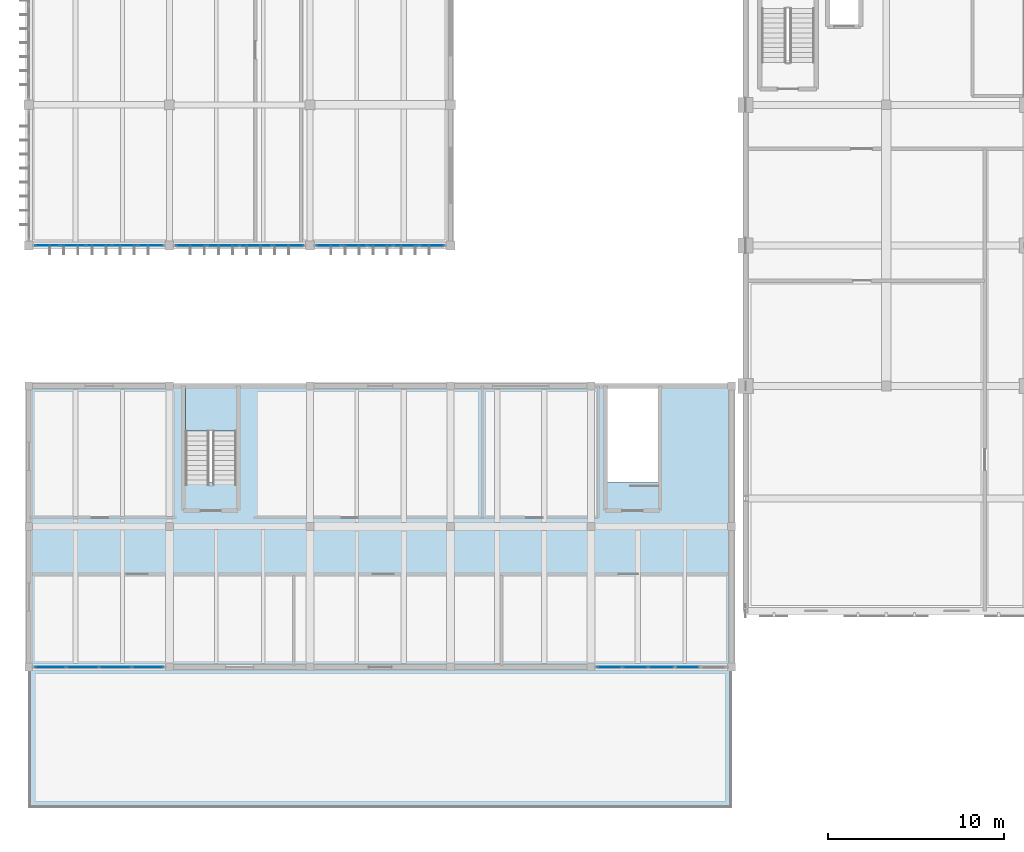
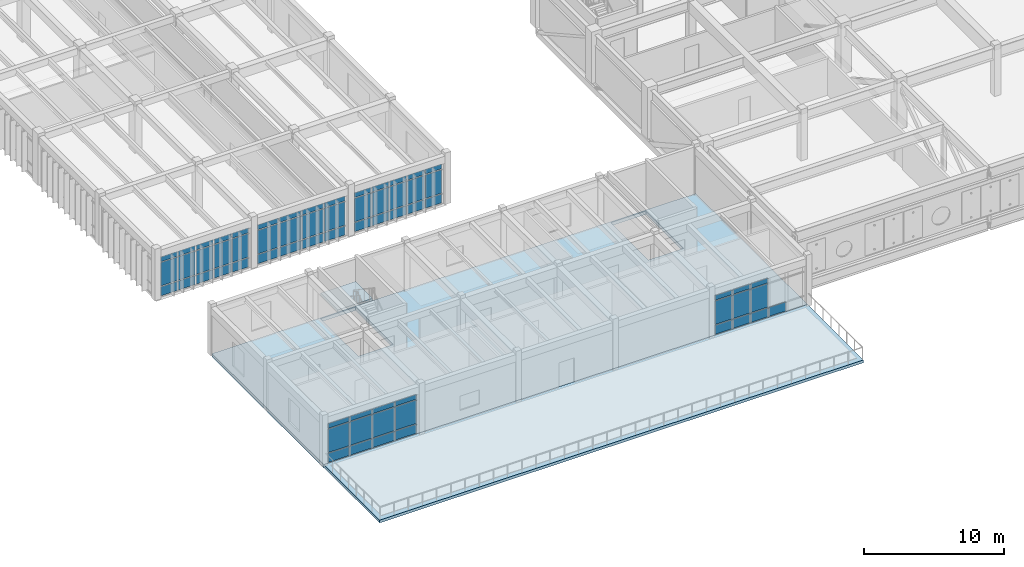
# One storey, part 34 of 79: 64 plates, 3 slabs, 6 elements without a shape of their own.
"""IFC4 building model written with IfcOpenShell, lengths in metres."""

from ifc_helpers import new_model, si_unit, direction, frame, origin, origin_2d, place, context, subcontext, project, spatial, polyline, rectangle, outline, extrude, material, layer, layer_set, type_object, element, aggregate, save


model = new_model("IFC4")

# Units and contexts
model_context = context("Model", 3, precision=1e-05, world=origin(), true_north=direction((0.0, 1.0)))
body_context = subcontext(model_context, "Body", "Model", "MODEL_VIEW")
ifc_project = project(units=[si_unit("LENGTHUNIT", "METRE"), si_unit("AREAUNIT", "SQUARE_METRE"), si_unit("VOLUMEUNIT", "CUBIC_METRE"), si_unit("PLANEANGLEUNIT", "RADIAN"), si_unit("MASSUNIT", "GRAM", prefix="KILO")], contexts=[model_context])

# Site, building, storey
site_placement = place(None, origin())
site = spatial("IfcSite", under=ifc_project, at=site_placement, CompositionType="ELEMENT")
building_placement = place(site_placement, origin())
building = spatial("IfcBuilding", under=site, at=building_placement, Name="Tlaxcora Railside Police Headquarters", CompositionType="ELEMENT")
storey_placement = place(building_placement, frame((0.0, 0.0, 9.0)))
storey = spatial("IfcBuildingStorey", under=building, at=storey_placement, Name="L02", CompositionType="ELEMENT", Elevation=9.0)

# Curtain wall, plates
ifc_material_1 = material(Name="Thermally broken low-E insulated glazing", Category="glass")
curtain_wall_type_1 = type_object("IfcCurtainWallType", Name="Unitised Curtain Wall Assembly CW-23", PredefinedType="NOTDEFINED", material=ifc_material_1)
curtain_wall_1_placement = place(storey_placement, origin())
curtain_wall_1 = element("IfcCurtainWall", 1, at=curtain_wall_1_placement, inside=storey, type_object=curtain_wall_type_1, Name="V4 L02 curtain wall 28", PredefinedType="NOTDEFINED")
ifc_layer_1 = layer(ifc_material_1, 0.0400390625, Name="Thermally broken low-E insulated glazing")
ifc_layer_set_1 = layer_set([ifc_layer_1], Name="Thermally broken low-E insulated glazing")
plate_type_1 = type_object("IfcPlateType", Name="Curtain Wall Infill Panel CW-17", PredefinedType="CURTAIN_PANEL", material=ifc_layer_set_1)
plate_1_placement = place(storey_placement, frame((38.239990234375, 20.0, 0.080078125), z_axis=(0.0, 0.0, 1.0), x_axis=(1.0, 0.0, 0.0)))
plate_1 = element("IfcPlate", 2, at=plate_1_placement, type_object=plate_type_1, Name="CW panel 1.1", PredefinedType="CURTAIN_PANEL", context=body_context, shape_type="SweptSolid", body=[
    extrude(rectangle(XDim=1.3701171875, YDim=0.0400390625, at=origin_2d()), origin(), (0.0, 0.0, 1.0), 0.780029296875),
])
plate_2_placement = place(storey_placement, frame((38.239990234375, 20.0, 0.93994140625), z_axis=(0.0, 0.0, 1.0), x_axis=(1.0, 0.0, 0.0)))
plate_2 = element("IfcPlate", 3, at=plate_2_placement, type_object=plate_type_1, Name="CW panel 1.2", PredefinedType="CURTAIN_PANEL", context=body_context, shape_type="SweptSolid", body=[
    extrude(rectangle(XDim=1.3701171875, YDim=0.0400390625, at=origin_2d()), origin(), (0.0, 0.0, 1.0), 2.0400390625),
])
plate_3_placement = place(storey_placement, frame((38.239990234375, 20.0, 3.06005859375), z_axis=(0.0, 0.0, 1.0), x_axis=(1.0, 0.0, 0.0)))
plate_3 = element("IfcPlate", 4, at=plate_3_placement, type_object=plate_type_1, Name="CW panel 1.3", PredefinedType="CURTAIN_PANEL", context=body_context, shape_type="SweptSolid", body=[
    extrude(rectangle(XDim=1.3701171875, YDim=0.0400390625, at=origin_2d()), origin(), (0.0, 0.0, 1.0), 0.409912109375),
])
plate_4_placement = place(storey_placement, frame((39.7099609375, 20.0, 0.080078125), z_axis=(0.0, 0.0, 1.0), x_axis=(1.0, 0.0, 0.0)))
plate_4 = element("IfcPlate", 5, at=plate_4_placement, type_object=plate_type_1, Name="CW panel 2.1", PredefinedType="CURTAIN_PANEL", context=body_context, shape_type="SweptSolid", body=[
    extrude(rectangle(XDim=1.409912109375, YDim=0.0400390625, at=origin_2d()), origin(), (0.0, 0.0, 1.0), 0.780029296875),
])
plate_5_placement = place(storey_placement, frame((39.7099609375, 20.0, 0.93994140625), z_axis=(0.0, 0.0, 1.0), x_axis=(1.0, 0.0, 0.0)))
plate_5 = element("IfcPlate", 6, at=plate_5_placement, type_object=plate_type_1, Name="CW panel 2.2", PredefinedType="CURTAIN_PANEL", context=body_context, shape_type="SweptSolid", body=[
    extrude(rectangle(XDim=1.409912109375, YDim=0.0400390625, at=origin_2d()), origin(), (0.0, 0.0, 1.0), 2.0400390625),
])
plate_6_placement = place(storey_placement, frame((39.7099609375, 20.0, 3.06005859375), z_axis=(0.0, 0.0, 1.0), x_axis=(1.0, 0.0, 0.0)))
plate_6 = element("IfcPlate", 7, at=plate_6_placement, type_object=plate_type_1, Name="CW panel 2.3", PredefinedType="CURTAIN_PANEL", context=body_context, shape_type="SweptSolid", body=[
    extrude(rectangle(XDim=1.409912109375, YDim=0.0400390625, at=origin_2d()), origin(), (0.0, 0.0, 1.0), 0.409912109375),
])
plate_7_placement = place(storey_placement, frame((41.199951171875, 20.0, 0.080078125), z_axis=(0.0, 0.0, 1.0), x_axis=(1.0, 0.0, 0.0)))
plate_7 = element("IfcPlate", 8, at=plate_7_placement, type_object=plate_type_1, Name="CW panel 3.1", PredefinedType="CURTAIN_PANEL", context=body_context, shape_type="SweptSolid", body=[
    extrude(rectangle(XDim=1.409912109375, YDim=0.0400390625, at=origin_2d()), origin(), (0.0, 0.0, 1.0), 0.780029296875),
])
plate_8_placement = place(storey_placement, frame((41.199951171875, 20.0, 0.93994140625), z_axis=(0.0, 0.0, 1.0), x_axis=(1.0, 0.0, 0.0)))
plate_8 = element("IfcPlate", 9, at=plate_8_placement, type_object=plate_type_1, Name="CW panel 3.2", PredefinedType="CURTAIN_PANEL", context=body_context, shape_type="SweptSolid", body=[
    extrude(rectangle(XDim=1.409912109375, YDim=0.0400390625, at=origin_2d()), origin(), (0.0, 0.0, 1.0), 2.0400390625),
])
plate_9_placement = place(storey_placement, frame((41.199951171875, 20.0, 3.06005859375), z_axis=(0.0, 0.0, 1.0), x_axis=(1.0, 0.0, 0.0)))
plate_9 = element("IfcPlate", 10, at=plate_9_placement, type_object=plate_type_1, Name="CW panel 3.3", PredefinedType="CURTAIN_PANEL", context=body_context, shape_type="SweptSolid", body=[
    extrude(rectangle(XDim=1.409912109375, YDim=0.0400390625, at=origin_2d()), origin(), (0.0, 0.0, 1.0), 0.409912109375),
])
plate_10_placement = place(storey_placement, frame((42.68994140625, 20.0, 0.080078125), z_axis=(0.0, 0.0, 1.0), x_axis=(1.0, 0.0, 0.0)))
plate_10 = element("IfcPlate", 11, at=plate_10_placement, type_object=plate_type_1, Name="CW panel 4.1", PredefinedType="CURTAIN_PANEL", context=body_context, shape_type="SweptSolid", body=[
    extrude(rectangle(XDim=1.409912109375, YDim=0.0400390625, at=origin_2d()), origin(), (0.0, 0.0, 1.0), 0.780029296875),
])
aggregate(curtain_wall_1, [plate_1, plate_2, plate_3, plate_4, plate_5, plate_6, plate_7, plate_8, plate_9, plate_10])

curtain_wall_2_placement = place(storey_placement, origin())
curtain_wall_2 = element("IfcCurtainWall", 12, at=curtain_wall_2_placement, inside=storey, type_object=curtain_wall_type_1, Name="V5 L02 curtain wall 52", PredefinedType="NOTDEFINED")
plate_11_placement = place(storey_placement, frame((22.260009765625, 44.0, 0.080078125), z_axis=(0.0, 0.0, 1.0), x_axis=(1.0, 0.0, 0.0)))
plate_11 = element("IfcPlate", 13, at=plate_11_placement, type_object=plate_type_1, Name="CW panel 1.1", PredefinedType="CURTAIN_PANEL", context=body_context, shape_type="SweptSolid", body=[
    extrude(rectangle(XDim=1.360107421875, YDim=0.0400390625, at=origin_2d()), origin(), (0.0, 0.0, 1.0), 0.780029296875),
])
plate_12_placement = place(storey_placement, frame((22.260009765625, 44.0, 0.93994140625), z_axis=(0.0, 0.0, 1.0), x_axis=(1.0, 0.0, 0.0)))
plate_12 = element("IfcPlate", 14, at=plate_12_placement, type_object=plate_type_1, Name="CW panel 1.2", PredefinedType="CURTAIN_PANEL", context=body_context, shape_type="SweptSolid", body=[
    extrude(rectangle(XDim=1.360107421875, YDim=0.0400390625, at=origin_2d()), origin(), (0.0, 0.0, 1.0), 2.0400390625),
])
plate_13_placement = place(storey_placement, frame((22.260009765625, 44.0, 3.06005859375), z_axis=(0.0, 0.0, 1.0), x_axis=(1.0, 0.0, 0.0)))
plate_13 = element("IfcPlate", 15, at=plate_13_placement, type_object=plate_type_1, Name="CW panel 1.3", PredefinedType="CURTAIN_PANEL", context=body_context, shape_type="SweptSolid", body=[
    extrude(rectangle(XDim=1.360107421875, YDim=0.0400390625, at=origin_2d()), origin(), (0.0, 0.0, 1.0), 0.409912109375),
])
plate_14_placement = place(storey_placement, frame((23.719970703125, 44.0, 0.080078125), z_axis=(0.0, 0.0, 1.0), x_axis=(1.0, 0.0, 0.0)))
plate_14 = element("IfcPlate", 16, at=plate_14_placement, type_object=plate_type_1, Name="CW panel 2.1", PredefinedType="CURTAIN_PANEL", context=body_context, shape_type="SweptSolid", body=[
    extrude(rectangle(XDim=1.39990234375, YDim=0.0400390625, at=origin_2d()), origin(), (0.0, 0.0, 1.0), 0.780029296875),
])
plate_15_placement = place(storey_placement, frame((23.719970703125, 44.0, 0.93994140625), z_axis=(0.0, 0.0, 1.0), x_axis=(1.0, 0.0, 0.0)))
plate_15 = element("IfcPlate", 17, at=plate_15_placement, type_object=plate_type_1, Name="CW panel 2.2", PredefinedType="CURTAIN_PANEL", context=body_context, shape_type="SweptSolid", body=[
    extrude(rectangle(XDim=1.39990234375, YDim=0.0400390625, at=origin_2d()), origin(), (0.0, 0.0, 1.0), 2.0400390625),
])
plate_16_placement = place(storey_placement, frame((23.719970703125, 44.0, 3.06005859375), z_axis=(0.0, 0.0, 1.0), x_axis=(1.0, 0.0, 0.0)))
plate_16 = element("IfcPlate", 18, at=plate_16_placement, type_object=plate_type_1, Name="CW panel 2.3", PredefinedType="CURTAIN_PANEL", context=body_context, shape_type="SweptSolid", body=[
    extrude(rectangle(XDim=1.39990234375, YDim=0.0400390625, at=origin_2d()), origin(), (0.0, 0.0, 1.0), 0.409912109375),
])
plate_17_placement = place(storey_placement, frame((25.199951171875, 44.0, 0.080078125), z_axis=(0.0, 0.0, 1.0), x_axis=(1.0, 0.0, 0.0)))
plate_17 = element("IfcPlate", 19, at=plate_17_placement, type_object=plate_type_1, Name="CW panel 3.1", PredefinedType="CURTAIN_PANEL", context=body_context, shape_type="SweptSolid", body=[
    extrude(rectangle(XDim=1.39990234375, YDim=0.0400390625, at=origin_2d()), origin(), (0.0, 0.0, 1.0), 0.780029296875),
])
plate_18_placement = place(storey_placement, frame((25.199951171875, 44.0, 0.93994140625), z_axis=(0.0, 0.0, 1.0), x_axis=(1.0, 0.0, 0.0)))
plate_18 = element("IfcPlate", 20, at=plate_18_placement, type_object=plate_type_1, Name="CW panel 3.2", PredefinedType="CURTAIN_PANEL", context=body_context, shape_type="SweptSolid", body=[
    extrude(rectangle(XDim=1.39990234375, YDim=0.0400390625, at=origin_2d()), origin(), (0.0, 0.0, 1.0), 2.0400390625),
])
plate_19_placement = place(storey_placement, frame((25.199951171875, 44.0, 3.06005859375), z_axis=(0.0, 0.0, 1.0), x_axis=(1.0, 0.0, 0.0)))
plate_19 = element("IfcPlate", 21, at=plate_19_placement, type_object=plate_type_1, Name="CW panel 3.3", PredefinedType="CURTAIN_PANEL", context=body_context, shape_type="SweptSolid", body=[
    extrude(rectangle(XDim=1.39990234375, YDim=0.0400390625, at=origin_2d()), origin(), (0.0, 0.0, 1.0), 0.409912109375),
])
plate_20_placement = place(storey_placement, frame((26.679931640625, 44.0, 0.080078125), z_axis=(0.0, 0.0, 1.0), x_axis=(1.0, 0.0, 0.0)))
plate_20 = element("IfcPlate", 22, at=plate_20_placement, type_object=plate_type_1, Name="CW panel 4.1", PredefinedType="CURTAIN_PANEL", context=body_context, shape_type="SweptSolid", body=[
    extrude(rectangle(XDim=1.39990234375, YDim=0.0400390625, at=origin_2d()), origin(), (0.0, 0.0, 1.0), 0.780029296875),
])
plate_21_placement = place(storey_placement, frame((26.679931640625, 44.0, 0.93994140625), z_axis=(0.0, 0.0, 1.0), x_axis=(1.0, 0.0, 0.0)))
plate_21 = element("IfcPlate", 23, at=plate_21_placement, type_object=plate_type_1, Name="CW panel 4.2", PredefinedType="CURTAIN_PANEL", context=body_context, shape_type="SweptSolid", body=[
    extrude(rectangle(XDim=1.39990234375, YDim=0.0400390625, at=origin_2d()), origin(), (0.0, 0.0, 1.0), 2.0400390625),
])
plate_22_placement = place(storey_placement, frame((26.679931640625, 44.0, 3.06005859375), z_axis=(0.0, 0.0, 1.0), x_axis=(1.0, 0.0, 0.0)))
plate_22 = element("IfcPlate", 24, at=plate_22_placement, type_object=plate_type_1, Name="CW panel 4.3", PredefinedType="CURTAIN_PANEL", context=body_context, shape_type="SweptSolid", body=[
    extrude(rectangle(XDim=1.39990234375, YDim=0.0400390625, at=origin_2d()), origin(), (0.0, 0.0, 1.0), 0.409912109375),
])
plate_23_placement = place(storey_placement, frame((28.139892578125, 44.0, 0.080078125), z_axis=(0.0, 0.0, 1.0), x_axis=(1.0, 0.0, 0.0)))
plate_23 = element("IfcPlate", 25, at=plate_23_placement, type_object=plate_type_1, Name="CW panel 5.1", PredefinedType="CURTAIN_PANEL", context=body_context, shape_type="SweptSolid", body=[
    extrude(rectangle(XDim=1.360107421875, YDim=0.0400390625, at=origin_2d()), origin(), (0.0, 0.0, 1.0), 0.780029296875),
])
plate_24_placement = place(storey_placement, frame((28.139892578125, 44.0, 0.93994140625), z_axis=(0.0, 0.0, 1.0), x_axis=(1.0, 0.0, 0.0)))
plate_24 = element("IfcPlate", 26, at=plate_24_placement, type_object=plate_type_1, Name="CW panel 5.2", PredefinedType="CURTAIN_PANEL", context=body_context, shape_type="SweptSolid", body=[
    extrude(rectangle(XDim=1.360107421875, YDim=0.0400390625, at=origin_2d()), origin(), (0.0, 0.0, 1.0), 2.0400390625),
])
plate_25_placement = place(storey_placement, frame((28.139892578125, 44.0, 3.06005859375), z_axis=(0.0, 0.0, 1.0), x_axis=(1.0, 0.0, 0.0)))
plate_25 = element("IfcPlate", 27, at=plate_25_placement, type_object=plate_type_1, Name="CW panel 5.3", PredefinedType="CURTAIN_PANEL", context=body_context, shape_type="SweptSolid", body=[
    extrude(rectangle(XDim=1.360107421875, YDim=0.0400390625, at=origin_2d()), origin(), (0.0, 0.0, 1.0), 0.409912109375),
])
aggregate(curtain_wall_2, [plate_11, plate_12, plate_13, plate_14, plate_15, plate_16, plate_17, plate_18, plate_19, plate_20, plate_21, plate_22, plate_23, plate_24, plate_25])

curtain_wall_type_2 = type_object("IfcCurtainWallType", Name="Unitised Curtain Wall Assembly CW-15", PredefinedType="NOTDEFINED", material=ifc_material_1)
curtain_wall_3_placement = place(storey_placement, origin())
curtain_wall_3 = element("IfcCurtainWall", 28, at=curtain_wall_3_placement, inside=storey, type_object=curtain_wall_type_2, Name="V5 L02 curtain wall 50", PredefinedType="NOTDEFINED")
ifc_layer_2 = layer(ifc_material_1, 0.031982421875, Name="Thermally broken low-E insulated glazing")
ifc_layer_set_2 = layer_set([ifc_layer_2], Name="Thermally broken low-E insulated glazing")
plate_type_2 = type_object("IfcPlateType", Name="Curtain Wall Infill Panel CW-41", PredefinedType="CURTAIN_PANEL", material=ifc_layer_set_2)
plate_26_placement = place(storey_placement, frame((6.2587890625, 44.0, 0.074951171875), z_axis=(0.0, 0.0, 1.0), x_axis=(1.0, 0.0, 0.0)))
plate_26 = element("IfcPlate", 29, at=plate_26_placement, type_object=plate_type_2, Name="CW panel 1.1", PredefinedType="CURTAIN_PANEL", context=body_context, shape_type="SweptSolid", body=[
    extrude(rectangle(XDim=1.367431640625, YDim=0.031982421875, at=origin_2d()), origin(), (0.0, 0.0, 1.0), 0.78759765625),
])
plate_27_placement = place(storey_placement, frame((6.2587890625, 44.0, 0.9375), z_axis=(0.0, 0.0, 1.0), x_axis=(1.0, 0.0, 0.0)))
plate_27 = element("IfcPlate", 30, at=plate_27_placement, type_object=plate_type_2, Name="CW panel 1.2", PredefinedType="CURTAIN_PANEL", context=body_context, shape_type="SweptSolid", body=[
    extrude(rectangle(XDim=1.367431640625, YDim=0.031982421875, at=origin_2d()), origin(), (0.0, 0.0, 1.0), 2.044921875),
])
plate_28_placement = place(storey_placement, frame((6.2587890625, 44.0, 3.0576171875), z_axis=(0.0, 0.0, 1.0), x_axis=(1.0, 0.0, 0.0)))
plate_28 = element("IfcPlate", 31, at=plate_28_placement, type_object=plate_type_2, Name="CW panel 1.3", PredefinedType="CURTAIN_PANEL", context=body_context, shape_type="SweptSolid", body=[
    extrude(rectangle(XDim=1.367431640625, YDim=0.031982421875, at=origin_2d()), origin(), (0.0, 0.0, 1.0), 0.41748046875),
])
plate_29_placement = place(storey_placement, frame((7.719970703125, 44.0, 0.074951171875), z_axis=(0.0, 0.0, 1.0), x_axis=(1.0, 0.0, 0.0)))
plate_29 = element("IfcPlate", 32, at=plate_29_placement, type_object=plate_type_2, Name="CW panel 2.1", PredefinedType="CURTAIN_PANEL", context=body_context, shape_type="SweptSolid", body=[
    extrude(rectangle(XDim=1.405029296875, YDim=0.031982421875, at=origin_2d()), origin(), (0.0, 0.0, 1.0), 0.78759765625),
])
plate_30_placement = place(storey_placement, frame((7.719970703125, 44.0, 0.9375), z_axis=(0.0, 0.0, 1.0), x_axis=(1.0, 0.0, 0.0)))
plate_30 = element("IfcPlate", 33, at=plate_30_placement, type_object=plate_type_2, Name="CW panel 2.2", PredefinedType="CURTAIN_PANEL", context=body_context, shape_type="SweptSolid", body=[
    extrude(rectangle(XDim=1.405029296875, YDim=0.031982421875, at=origin_2d()), origin(), (0.0, 0.0, 1.0), 2.044921875),
])
plate_31_placement = place(storey_placement, frame((7.719970703125, 44.0, 3.0576171875), z_axis=(0.0, 0.0, 1.0), x_axis=(1.0, 0.0, 0.0)))
plate_31 = element("IfcPlate", 34, at=plate_31_placement, type_object=plate_type_2, Name="CW panel 2.3", PredefinedType="CURTAIN_PANEL", context=body_context, shape_type="SweptSolid", body=[
    extrude(rectangle(XDim=1.405029296875, YDim=0.031982421875, at=origin_2d()), origin(), (0.0, 0.0, 1.0), 0.41748046875),
])
plate_32_placement = place(storey_placement, frame((9.199951171875, 44.0, 0.074951171875), z_axis=(0.0, 0.0, 1.0), x_axis=(1.0, 0.0, 0.0)))
plate_32 = element("IfcPlate", 35, at=plate_32_placement, type_object=plate_type_2, Name="CW panel 3.1", PredefinedType="CURTAIN_PANEL", context=body_context, shape_type="SweptSolid", body=[
    extrude(rectangle(XDim=1.405029296875, YDim=0.031982421875, at=origin_2d()), origin(), (0.0, 0.0, 1.0), 0.78759765625),
])
plate_33_placement = place(storey_placement, frame((9.199951171875, 44.0, 0.9375), z_axis=(0.0, 0.0, 1.0), x_axis=(1.0, 0.0, 0.0)))
plate_33 = element("IfcPlate", 36, at=plate_33_placement, type_object=plate_type_2, Name="CW panel 3.2", PredefinedType="CURTAIN_PANEL", context=body_context, shape_type="SweptSolid", body=[
    extrude(rectangle(XDim=1.405029296875, YDim=0.031982421875, at=origin_2d()), origin(), (0.0, 0.0, 1.0), 2.044921875),
])
plate_34_placement = place(storey_placement, frame((9.199951171875, 44.0, 3.0576171875), z_axis=(0.0, 0.0, 1.0), x_axis=(1.0, 0.0, 0.0)))
plate_34 = element("IfcPlate", 37, at=plate_34_placement, type_object=plate_type_2, Name="CW panel 3.3", PredefinedType="CURTAIN_PANEL", context=body_context, shape_type="SweptSolid", body=[
    extrude(rectangle(XDim=1.405029296875, YDim=0.031982421875, at=origin_2d()), origin(), (0.0, 0.0, 1.0), 0.41748046875),
])
plate_35_placement = place(storey_placement, frame((10.679931640625, 44.0, 0.074951171875), z_axis=(0.0, 0.0, 1.0), x_axis=(1.0, 0.0, 0.0)))
plate_35 = element("IfcPlate", 38, at=plate_35_placement, type_object=plate_type_2, Name="CW panel 4.1", PredefinedType="CURTAIN_PANEL", context=body_context, shape_type="SweptSolid", body=[
    extrude(rectangle(XDim=1.405029296875, YDim=0.031982421875, at=origin_2d()), origin(), (0.0, 0.0, 1.0), 0.78759765625),
])
plate_36_placement = place(storey_placement, frame((10.679931640625, 44.0, 0.9375), z_axis=(0.0, 0.0, 1.0), x_axis=(1.0, 0.0, 0.0)))
plate_36 = element("IfcPlate", 39, at=plate_36_placement, type_object=plate_type_2, Name="CW panel 4.2", PredefinedType="CURTAIN_PANEL", context=body_context, shape_type="SweptSolid", body=[
    extrude(rectangle(XDim=1.405029296875, YDim=0.031982421875, at=origin_2d()), origin(), (0.0, 0.0, 1.0), 2.044921875),
])
plate_37_placement = place(storey_placement, frame((10.679931640625, 44.0, 3.0576171875), z_axis=(0.0, 0.0, 1.0), x_axis=(1.0, 0.0, 0.0)))
plate_37 = element("IfcPlate", 40, at=plate_37_placement, type_object=plate_type_2, Name="CW panel 4.3", PredefinedType="CURTAIN_PANEL", context=body_context, shape_type="SweptSolid", body=[
    extrude(rectangle(XDim=1.405029296875, YDim=0.031982421875, at=origin_2d()), origin(), (0.0, 0.0, 1.0), 0.41748046875),
])
plate_38_placement = place(storey_placement, frame((12.141357421875, 44.0, 0.074951171875), z_axis=(0.0, 0.0, 1.0), x_axis=(1.0, 0.0, 0.0)))
plate_38 = element("IfcPlate", 41, at=plate_38_placement, type_object=plate_type_2, Name="CW panel 5.1", PredefinedType="CURTAIN_PANEL", context=body_context, shape_type="SweptSolid", body=[
    extrude(rectangle(XDim=1.367431640625, YDim=0.031982421875, at=origin_2d()), origin(), (0.0, 0.0, 1.0), 0.78759765625),
])
plate_39_placement = place(storey_placement, frame((12.141357421875, 44.0, 0.9375), z_axis=(0.0, 0.0, 1.0), x_axis=(1.0, 0.0, 0.0)))
plate_39 = element("IfcPlate", 42, at=plate_39_placement, type_object=plate_type_2, Name="CW panel 5.2", PredefinedType="CURTAIN_PANEL", context=body_context, shape_type="SweptSolid", body=[
    extrude(rectangle(XDim=1.367431640625, YDim=0.031982421875, at=origin_2d()), origin(), (0.0, 0.0, 1.0), 2.044921875),
])
plate_40_placement = place(storey_placement, frame((12.141357421875, 44.0, 3.0576171875), z_axis=(0.0, 0.0, 1.0), x_axis=(1.0, 0.0, 0.0)))
plate_40 = element("IfcPlate", 43, at=plate_40_placement, type_object=plate_type_2, Name="CW panel 5.3", PredefinedType="CURTAIN_PANEL", context=body_context, shape_type="SweptSolid", body=[
    extrude(rectangle(XDim=1.367431640625, YDim=0.031982421875, at=origin_2d()), origin(), (0.0, 0.0, 1.0), 0.41748046875),
])
aggregate(curtain_wall_3, [plate_26, plate_27, plate_28, plate_29, plate_30, plate_31, plate_32, plate_33, plate_34, plate_35, plate_36, plate_37, plate_38, plate_39, plate_40])

curtain_wall_type_3 = type_object("IfcCurtainWallType", Name="Unitised Curtain Wall Assembly CW-83", PredefinedType="NOTDEFINED", material=ifc_material_1)
curtain_wall_4_placement = place(storey_placement, origin())
curtain_wall_4 = element("IfcCurtainWall", 44, at=curtain_wall_4_placement, inside=storey, type_object=curtain_wall_type_3, Name="V4 L02 curtain wall 27", PredefinedType="NOTDEFINED")
ifc_layer_3 = layer(ifc_material_1, 0.035888671875, Name="Thermally broken low-E insulated glazing")
ifc_layer_set_3 = layer_set([ifc_layer_3], Name="Thermally broken low-E insulated glazing")
plate_type_3 = type_object("IfcPlateType", Name="Curtain Wall Infill Panel CW-72", PredefinedType="CURTAIN_PANEL", material=ifc_layer_set_3)
plate_41_placement = place(storey_placement, frame((6.42626953125, 20.0, 0.080078125), z_axis=(0.0, 0.0, 1.0), x_axis=(1.0, 0.0, 0.0)))
plate_41 = element("IfcPlate", 45, at=plate_41_placement, type_object=plate_type_3, Name="CW panel 1.1", PredefinedType="CURTAIN_PANEL", context=body_context, shape_type="SweptSolid", body=[
    extrude(rectangle(XDim=1.742431640625, YDim=0.035888671875, at=origin_2d()), origin(), (0.0, 0.0, 1.0), 0.780029296875),
])
plate_42_placement = place(storey_placement, frame((6.42626953125, 20.0, 0.93994140625), z_axis=(0.0, 0.0, 1.0), x_axis=(1.0, 0.0, 0.0)))
plate_42 = element("IfcPlate", 46, at=plate_42_placement, type_object=plate_type_3, Name="CW panel 1.2", PredefinedType="CURTAIN_PANEL", context=body_context, shape_type="SweptSolid", body=[
    extrude(rectangle(XDim=1.742431640625, YDim=0.035888671875, at=origin_2d()), origin(), (0.0, 0.0, 1.0), 2.0400390625),
])
plate_43_placement = place(storey_placement, frame((6.42626953125, 20.0, 3.06005859375), z_axis=(0.0, 0.0, 1.0), x_axis=(1.0, 0.0, 0.0)))
plate_43 = element("IfcPlate", 47, at=plate_43_placement, type_object=plate_type_3, Name="CW panel 1.3", PredefinedType="CURTAIN_PANEL", context=body_context, shape_type="SweptSolid", body=[
    extrude(rectangle(XDim=1.742431640625, YDim=0.035888671875, at=origin_2d()), origin(), (0.0, 0.0, 1.0), 0.409912109375),
])
plate_44_placement = place(storey_placement, frame((8.268798828125, 20.0, 0.080078125), z_axis=(0.0, 0.0, 1.0), x_axis=(1.0, 0.0, 0.0)))
plate_44 = element("IfcPlate", 48, at=plate_44_placement, type_object=plate_type_3, Name="CW panel 2.1", PredefinedType="CURTAIN_PANEL", context=body_context, shape_type="SweptSolid", body=[
    extrude(rectangle(XDim=1.782470703125, YDim=0.035888671875, at=origin_2d()), origin(), (0.0, 0.0, 1.0), 0.780029296875),
])
plate_45_placement = place(storey_placement, frame((8.268798828125, 20.0, 0.93994140625), z_axis=(0.0, 0.0, 1.0), x_axis=(1.0, 0.0, 0.0)))
plate_45 = element("IfcPlate", 49, at=plate_45_placement, type_object=plate_type_3, Name="CW panel 2.2", PredefinedType="CURTAIN_PANEL", context=body_context, shape_type="SweptSolid", body=[
    extrude(rectangle(XDim=1.782470703125, YDim=0.035888671875, at=origin_2d()), origin(), (0.0, 0.0, 1.0), 2.0400390625),
])
plate_46_placement = place(storey_placement, frame((8.268798828125, 20.0, 3.06005859375), z_axis=(0.0, 0.0, 1.0), x_axis=(1.0, 0.0, 0.0)))
plate_46 = element("IfcPlate", 50, at=plate_46_placement, type_object=plate_type_3, Name="CW panel 2.3", PredefinedType="CURTAIN_PANEL", context=body_context, shape_type="SweptSolid", body=[
    extrude(rectangle(XDim=1.782470703125, YDim=0.035888671875, at=origin_2d()), origin(), (0.0, 0.0, 1.0), 0.409912109375),
])
plate_47_placement = place(storey_placement, frame((10.13134765625, 20.0, 0.080078125), z_axis=(0.0, 0.0, 1.0), x_axis=(1.0, 0.0, 0.0)))
plate_47 = element("IfcPlate", 51, at=plate_47_placement, type_object=plate_type_3, Name="CW panel 3.1", PredefinedType="CURTAIN_PANEL", context=body_context, shape_type="SweptSolid", body=[
    extrude(rectangle(XDim=1.782470703125, YDim=0.035888671875, at=origin_2d()), origin(), (0.0, 0.0, 1.0), 0.780029296875),
])
plate_48_placement = place(storey_placement, frame((10.13134765625, 20.0, 0.93994140625), z_axis=(0.0, 0.0, 1.0), x_axis=(1.0, 0.0, 0.0)))
plate_48 = element("IfcPlate", 52, at=plate_48_placement, type_object=plate_type_3, Name="CW panel 3.2", PredefinedType="CURTAIN_PANEL", context=body_context, shape_type="SweptSolid", body=[
    extrude(rectangle(XDim=1.782470703125, YDim=0.035888671875, at=origin_2d()), origin(), (0.0, 0.0, 1.0), 2.0400390625),
])
plate_49_placement = place(storey_placement, frame((10.13134765625, 20.0, 3.06005859375), z_axis=(0.0, 0.0, 1.0), x_axis=(1.0, 0.0, 0.0)))
plate_49 = element("IfcPlate", 53, at=plate_49_placement, type_object=plate_type_3, Name="CW panel 3.3", PredefinedType="CURTAIN_PANEL", context=body_context, shape_type="SweptSolid", body=[
    extrude(rectangle(XDim=1.782470703125, YDim=0.035888671875, at=origin_2d()), origin(), (0.0, 0.0, 1.0), 0.409912109375),
])
plate_50_placement = place(storey_placement, frame((11.9736328125, 20.0, 0.080078125), z_axis=(0.0, 0.0, 1.0), x_axis=(1.0, 0.0, 0.0)))
plate_50 = element("IfcPlate", 54, at=plate_50_placement, type_object=plate_type_3, Name="CW panel 4.1", PredefinedType="CURTAIN_PANEL", context=body_context, shape_type="SweptSolid", body=[
    extrude(rectangle(XDim=1.742431640625, YDim=0.035888671875, at=origin_2d()), origin(), (0.0, 0.0, 1.0), 0.780029296875),
])
plate_51_placement = place(storey_placement, frame((11.9736328125, 20.0, 0.93994140625), z_axis=(0.0, 0.0, 1.0), x_axis=(1.0, 0.0, 0.0)))
plate_51 = element("IfcPlate", 55, at=plate_51_placement, type_object=plate_type_3, Name="CW panel 4.2", PredefinedType="CURTAIN_PANEL", context=body_context, shape_type="SweptSolid", body=[
    extrude(rectangle(XDim=1.742431640625, YDim=0.035888671875, at=origin_2d()), origin(), (0.0, 0.0, 1.0), 2.0400390625),
])
plate_52_placement = place(storey_placement, frame((11.9736328125, 20.0, 3.06005859375), z_axis=(0.0, 0.0, 1.0), x_axis=(1.0, 0.0, 0.0)))
plate_52 = element("IfcPlate", 56, at=plate_52_placement, type_object=plate_type_3, Name="CW panel 4.3", PredefinedType="CURTAIN_PANEL", context=body_context, shape_type="SweptSolid", body=[
    extrude(rectangle(XDim=1.742431640625, YDim=0.035888671875, at=origin_2d()), origin(), (0.0, 0.0, 1.0), 0.409912109375),
])
aggregate(curtain_wall_4, [plate_41, plate_42, plate_43, plate_44, plate_45, plate_46, plate_47, plate_48, plate_49, plate_50, plate_51, plate_52])

curtain_wall_5_placement = place(storey_placement, origin())
curtain_wall_5 = element("IfcCurtainWall", 57, at=curtain_wall_5_placement, inside=storey, type_object=curtain_wall_type_3, Name="V5 L02 curtain wall 51", PredefinedType="NOTDEFINED")
plate_53_placement = place(storey_placement, frame((14.445068359375, 44.0, 0.080078125), z_axis=(0.0, 0.0, 1.0), x_axis=(1.0, 0.0, 0.0)))
plate_53 = element("IfcPlate", 58, at=plate_53_placement, type_object=plate_type_3, Name="CW panel 1.1", PredefinedType="CURTAIN_PANEL", context=body_context, shape_type="SweptSolid", body=[
    extrude(rectangle(XDim=1.72998046875, YDim=0.035888671875, at=origin_2d()), origin(), (0.0, 0.0, 1.0), 0.780029296875),
])
plate_54_placement = place(storey_placement, frame((14.445068359375, 44.0, 0.93994140625), z_axis=(0.0, 0.0, 1.0), x_axis=(1.0, 0.0, 0.0)))
plate_54 = element("IfcPlate", 59, at=plate_54_placement, type_object=plate_type_3, Name="CW panel 1.2", PredefinedType="CURTAIN_PANEL", context=body_context, shape_type="SweptSolid", body=[
    extrude(rectangle(XDim=1.72998046875, YDim=0.035888671875, at=origin_2d()), origin(), (0.0, 0.0, 1.0), 2.0400390625),
])
plate_55_placement = place(storey_placement, frame((14.445068359375, 44.0, 3.06005859375), z_axis=(0.0, 0.0, 1.0), x_axis=(1.0, 0.0, 0.0)))
plate_55 = element("IfcPlate", 60, at=plate_55_placement, type_object=plate_type_3, Name="CW panel 1.3", PredefinedType="CURTAIN_PANEL", context=body_context, shape_type="SweptSolid", body=[
    extrude(rectangle(XDim=1.72998046875, YDim=0.035888671875, at=origin_2d()), origin(), (0.0, 0.0, 1.0), 0.409912109375),
])
plate_56_placement = place(storey_placement, frame((16.27490234375, 44.0, 0.080078125), z_axis=(0.0, 0.0, 1.0), x_axis=(1.0, 0.0, 0.0)))
plate_56 = element("IfcPlate", 61, at=plate_56_placement, type_object=plate_type_3, Name="CW panel 2.1", PredefinedType="CURTAIN_PANEL", context=body_context, shape_type="SweptSolid", body=[
    extrude(rectangle(XDim=1.77001953125, YDim=0.035888671875, at=origin_2d()), origin(), (0.0, 0.0, 1.0), 0.780029296875),
])
plate_57_placement = place(storey_placement, frame((16.27490234375, 44.0, 0.93994140625), z_axis=(0.0, 0.0, 1.0), x_axis=(1.0, 0.0, 0.0)))
plate_57 = element("IfcPlate", 62, at=plate_57_placement, type_object=plate_type_3, Name="CW panel 2.2", PredefinedType="CURTAIN_PANEL", context=body_context, shape_type="SweptSolid", body=[
    extrude(rectangle(XDim=1.77001953125, YDim=0.035888671875, at=origin_2d()), origin(), (0.0, 0.0, 1.0), 2.0400390625),
])
plate_58_placement = place(storey_placement, frame((16.27490234375, 44.0, 3.06005859375), z_axis=(0.0, 0.0, 1.0), x_axis=(1.0, 0.0, 0.0)))
plate_58 = element("IfcPlate", 63, at=plate_58_placement, type_object=plate_type_3, Name="CW panel 2.3", PredefinedType="CURTAIN_PANEL", context=body_context, shape_type="SweptSolid", body=[
    extrude(rectangle(XDim=1.77001953125, YDim=0.035888671875, at=origin_2d()), origin(), (0.0, 0.0, 1.0), 0.409912109375),
])
plate_59_placement = place(storey_placement, frame((18.125, 44.0, 0.080078125), z_axis=(0.0, 0.0, 1.0), x_axis=(1.0, 0.0, 0.0)))
plate_59 = element("IfcPlate", 64, at=plate_59_placement, type_object=plate_type_3, Name="CW panel 3.1", PredefinedType="CURTAIN_PANEL", context=body_context, shape_type="SweptSolid", body=[
    extrude(rectangle(XDim=1.77001953125, YDim=0.035888671875, at=origin_2d()), origin(), (0.0, 0.0, 1.0), 0.780029296875),
])
plate_60_placement = place(storey_placement, frame((18.125, 44.0, 0.93994140625), z_axis=(0.0, 0.0, 1.0), x_axis=(1.0, 0.0, 0.0)))
plate_60 = element("IfcPlate", 65, at=plate_60_placement, type_object=plate_type_3, Name="CW panel 3.2", PredefinedType="CURTAIN_PANEL", context=body_context, shape_type="SweptSolid", body=[
    extrude(rectangle(XDim=1.77001953125, YDim=0.035888671875, at=origin_2d()), origin(), (0.0, 0.0, 1.0), 2.0400390625),
])
plate_61_placement = place(storey_placement, frame((18.125, 44.0, 3.06005859375), z_axis=(0.0, 0.0, 1.0), x_axis=(1.0, 0.0, 0.0)))
plate_61 = element("IfcPlate", 66, at=plate_61_placement, type_object=plate_type_3, Name="CW panel 3.3", PredefinedType="CURTAIN_PANEL", context=body_context, shape_type="SweptSolid", body=[
    extrude(rectangle(XDim=1.77001953125, YDim=0.035888671875, at=origin_2d()), origin(), (0.0, 0.0, 1.0), 0.409912109375),
])
plate_62_placement = place(storey_placement, frame((19.955078125, 44.0, 0.080078125), z_axis=(0.0, 0.0, 1.0), x_axis=(1.0, 0.0, 0.0)))
plate_62 = element("IfcPlate", 67, at=plate_62_placement, type_object=plate_type_3, Name="CW panel 4.1", PredefinedType="CURTAIN_PANEL", context=body_context, shape_type="SweptSolid", body=[
    extrude(rectangle(XDim=1.72998046875, YDim=0.035888671875, at=origin_2d()), origin(), (0.0, 0.0, 1.0), 0.780029296875),
])
plate_63_placement = place(storey_placement, frame((19.955078125, 44.0, 0.93994140625), z_axis=(0.0, 0.0, 1.0), x_axis=(1.0, 0.0, 0.0)))
plate_63 = element("IfcPlate", 68, at=plate_63_placement, type_object=plate_type_3, Name="CW panel 4.2", PredefinedType="CURTAIN_PANEL", context=body_context, shape_type="SweptSolid", body=[
    extrude(rectangle(XDim=1.72998046875, YDim=0.035888671875, at=origin_2d()), origin(), (0.0, 0.0, 1.0), 2.0400390625),
])
plate_64_placement = place(storey_placement, frame((19.955078125, 44.0, 3.06005859375), z_axis=(0.0, 0.0, 1.0), x_axis=(1.0, 0.0, 0.0)))
plate_64 = element("IfcPlate", 69, at=plate_64_placement, type_object=plate_type_3, Name="CW panel 4.3", PredefinedType="CURTAIN_PANEL", context=body_context, shape_type="SweptSolid", body=[
    extrude(rectangle(XDim=1.72998046875, YDim=0.035888671875, at=origin_2d()), origin(), (0.0, 0.0, 1.0), 0.409912109375),
])
aggregate(curtain_wall_5, [plate_53, plate_54, plate_55, plate_56, plate_57, plate_58, plate_59, plate_60, plate_61, plate_62, plate_63, plate_64])

# Stair, slab
ifc_material_2 = material(Name="Concrete C40/50", Category="concrete")
stair_type = type_object("IfcStairType", Name="Half-Turn Dog-Leg Stair ST-97", PredefinedType="HALF_TURN_STAIR", material=ifc_material_2)
stair_placement = place(storey_placement, origin())
stair = element("IfcStair", 70, at=stair_placement, inside=storey, type_object=stair_type, Name="L02 ST6", PredefinedType="HALF_TURN_STAIR")
ifc_material_3 = material(Name="Concrete C35/45", Category="concrete")
ifc_layer_4 = layer(ifc_material_3, 0.199951171875, Name="Concrete C35/45")
ifc_layer_set_4 = layer_set([ifc_layer_4], Name="Concrete C35/45")
slab_type_1 = type_object("IfcSlabType", Name="Stair Landing Slab SL-23", PredefinedType="LANDING", material=ifc_layer_set_4)
slab_1_placement = place(storey_placement, frame((0.0, 0.0, 2.050048828125)))
slab_1 = element("IfcSlab", 71, at=slab_1_placement, type_object=slab_type_1, Name="ST6 landing 1", PredefinedType="LANDING", context=body_context, shape_type="SweptSolid", body=[
    extrude(outline(polyline([(17.010009765625, 33.43994140625), (17.010009765625, 35.889892578125), (14.110107421875, 35.889892578125), (14.110107421875, 33.43994140625), (17.010009765625, 33.43994140625)])), origin(), (0.0, 0.0, 1.0), 0.199951171875),
])
aggregate(stair, [slab_1])

# Slabs
ifc_layer_5 = layer(ifc_material_2, 0.2451171875, Name="Concrete C40/50")
ifc_layer_set_5 = layer_set([ifc_layer_5], Name="Concrete C40/50")
slab_type_2 = type_object("IfcSlabType", Name="Suspended Floor Slab SL-67", PredefinedType="FLOOR", material=ifc_layer_set_5)
slab_2_placement = place(storey_placement, frame((0.0, 0.0, -0.2451171875)))
element("IfcSlab", 72, at=slab_2_placement, inside=storey, type_object=slab_type_2, Name="V4 L02 planted terrace slab", PredefinedType="FLOOR", context=body_context, shape_type="SweptSolid", body=[
    extrude(outline(polyline([(45.199951171875, 12.0), (45.199951171875, 20.0), (5.199951171875, 20.0), (5.199951171875, 12.0), (45.199951171875, 12.0)])), origin(), (0.0, 0.0, 1.0), 0.2451171875),
])
ifc_layer_6 = layer(ifc_material_3, 0.2900390625, Name="Concrete C35/45")
ifc_layer_set_6 = layer_set([ifc_layer_6], Name="Concrete C35/45")
slab_type_3 = type_object("IfcSlabType", Name="Suspended Floor Slab SL-86", PredefinedType="FLOOR", material=ifc_layer_set_6)
slab_3_placement = place(storey_placement, frame((0.0, 0.0, -0.2900390625)))
element("IfcSlab", 73, at=slab_3_placement, inside=storey, type_object=slab_type_3, Name="V4 L02 floor slab zone 1", PredefinedType="FLOOR", context=body_context, shape_type="SweptSolid", body=[
    extrude(outline(polyline([(5.199951171875, 36.0), (5.199951171875, 20.0), (45.199951171875, 20.0), (45.199951171875, 36.0), (5.199951171875, 36.0)]), holes=[polyline([(17.010009765625, 35.889892578125), (17.010009765625, 30.5), (14.110107421875, 30.5), (14.110107421875, 35.889892578125), (17.010009765625, 35.889892578125)]), polyline([(41.010009765625, 30.5), (38.110107421875, 30.5), (38.110107421875, 35.889892578125), (41.010009765625, 35.889892578125), (41.010009765625, 30.5)])]), origin(), (0.0, 0.0, 1.0), 0.2900390625),
])

save(model, "model.ifc")
